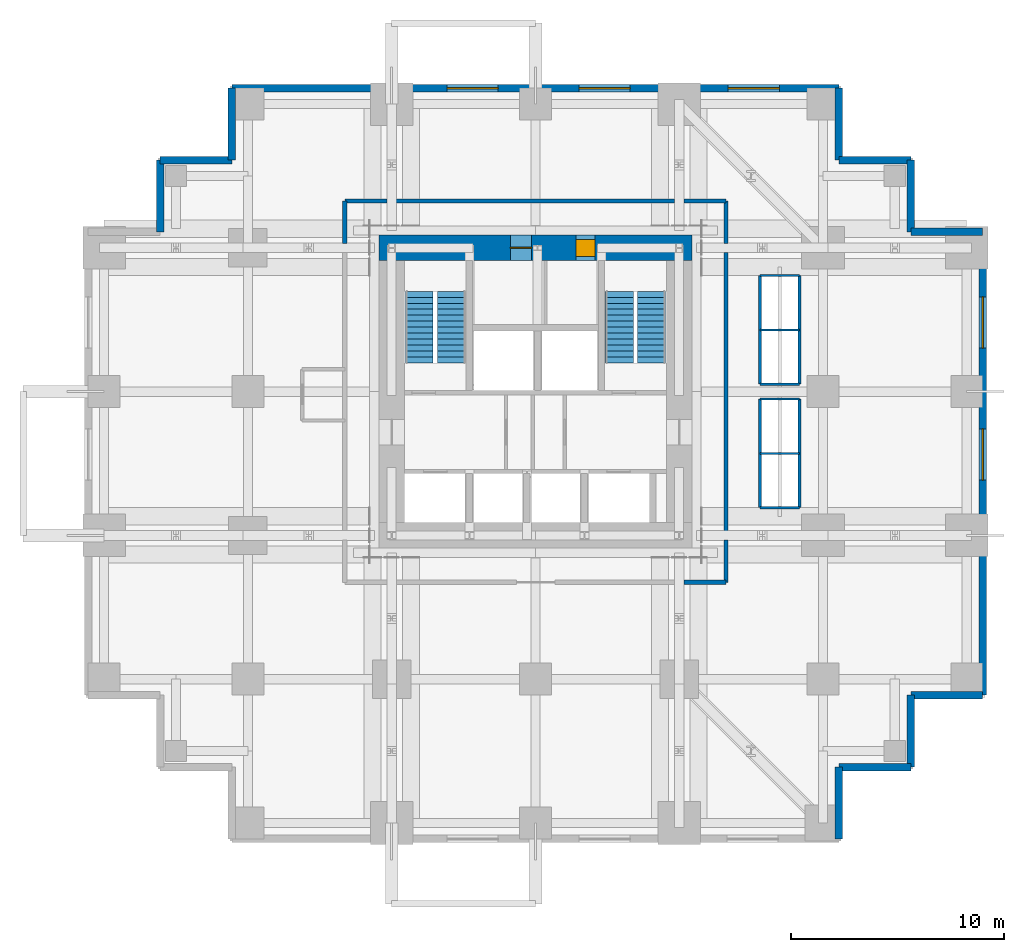
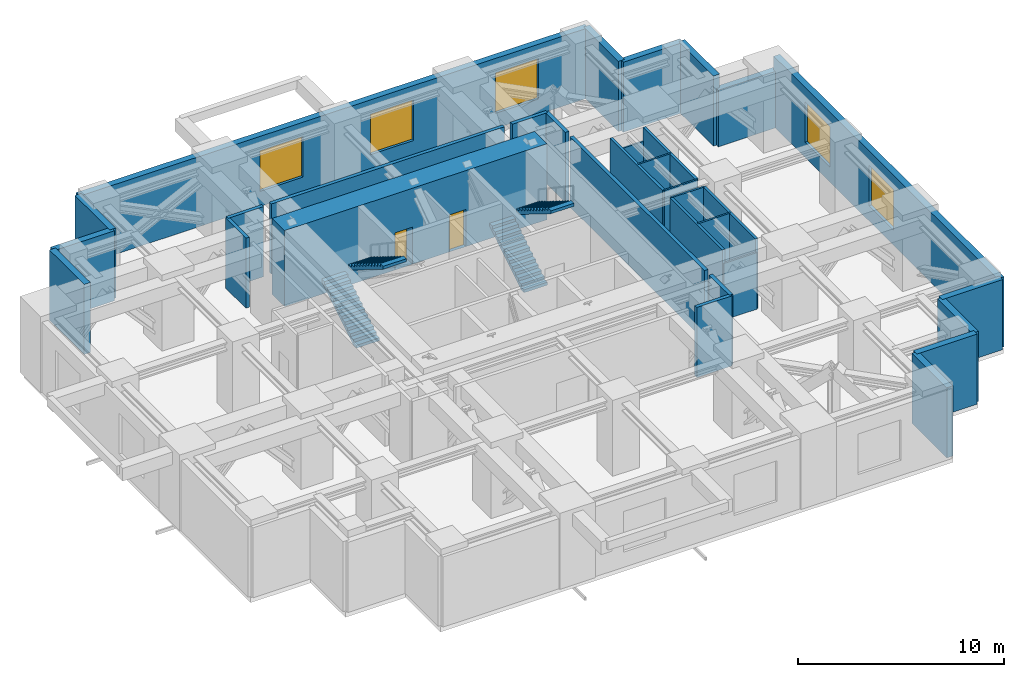
# One storey, part 5 of 6: 32 walls, 5 windows, 4 stair flights, 2 doors, 7 openings, 2 elements without a shape of their own.
"""IFC4 building model written with IfcOpenShell, lengths in metres."""

from ifc_helpers import new_model, si_unit, direction, frame, frame_2d, origin, place, context, subcontext, project, spatial, polyline, rectangle, outline, extrude, material, layer, layer_set, type_object, element, fill, aggregate, save


model = new_model("IFC4")

# Units and contexts
model_context = context("Model", 3, precision=1e-05, world=origin(), true_north=direction((0.0, 1.0)))
body_context = subcontext(model_context, "Body", "Model", "MODEL_VIEW")
ifc_project = project(units=[si_unit("LENGTHUNIT", "METRE"), si_unit("AREAUNIT", "SQUARE_METRE"), si_unit("VOLUMEUNIT", "CUBIC_METRE"), si_unit("PLANEANGLEUNIT", "RADIAN"), si_unit("MASSUNIT", "GRAM", prefix="KILO")], contexts=[model_context])

# Site, building, storey
site_placement = place(None, origin())
site = spatial("IfcSite", under=ifc_project, at=site_placement, CompositionType="ELEMENT")
building_placement = place(site_placement, origin())
building = spatial("IfcBuilding", under=site, at=building_placement, Name="Nyansa Garden Tower", CompositionType="ELEMENT")
storey_placement = place(building_placement, frame((0.0, 0.0, 137.699951171875)))
storey = spatial("IfcBuildingStorey", under=building, at=storey_placement, Name="L37", CompositionType="ELEMENT", Elevation=137.699951171875)

# Wall, openings, doors
ifc_material_1 = material(Name="Concrete C80/95", Category="concrete")
ifc_layer_1 = layer(ifc_material_1, 1.199951171875)
ifc_layer_set_1 = layer_set([ifc_layer_1], Name="Core wall CW1200")
wall_type_1 = type_object("IfcWallType", Name="Core wall CW1200", PredefinedType="SHEAR", material=ifc_layer_set_1)
wall_1_placement = place(storey_placement, frame((27.60009765625, 27.0, 0.0), z_axis=(0.0, 0.0, 1.0), x_axis=(-1.0, 0.0, 0.0)))
wall_1 = element("IfcWall", 1, at=wall_1_placement, inside=storey, type_object=wall_type_1, Name="Core wall N L37", PredefinedType="SHEAR", context=body_context, shape_type="SweptSolid", body=[
    extrude(rectangle(XDim=14.7001953125, YDim=1.199951171875, at=frame_2d((7.35009765625, 0.0))), origin(), (0.0, 0.0, 1.0), 4.5),
])
opening_1_placement = place(wall_1_placement, frame((4.550048828125, 0.0, 0.0)))
opening_1 = element("IfcOpeningElement", 2, at=opening_1_placement, cuts=wall_1, Name="Opening D15", PredefinedType="OPENING", context=body_context, shape_type="SweptSolid", body=[
    extrude(rectangle(XDim=0.89990234375, YDim=2.199951171875, at=frame_2d((0.449951171875, 1.10009765625))), frame((0.0, 0.60986328125, 0.0), z_axis=(0.0, -1.0, 0.0), x_axis=(1.0, 0.0, 0.0)), (0.0, 0.0, 1.0), 1.219970703125),
])
opening_2_placement = place(wall_1_placement, frame((7.52490234375, 0.0, 0.0)))
opening_2 = element("IfcOpeningElement", 3, at=opening_2_placement, cuts=wall_1, Name="Opening D07", PredefinedType="OPENING", context=body_context, shape_type="SweptSolid", body=[
    extrude(rectangle(XDim=1.0, YDim=2.199951171875, at=frame_2d((0.5, 1.10009765625))), frame((0.0, 0.60986328125, 0.0), z_axis=(0.0, -1.0, 0.0), x_axis=(1.0, 0.0, 0.0)), (0.0, 0.0, 1.0), 1.219970703125),
])
ifc_material_2 = material(Name="Timber flush door, 60 minute fire resisting, self-closing", Category="wood")
door_type_1 = type_object("IfcDoorType", Name="Core room door D15 900x2200", OperationType="SINGLE_SWING_LEFT", PredefinedType="DOOR", material=ifc_material_2)
door_1_placement = place(opening_1_placement, origin())
door_1 = element("IfcDoor", 4, at=door_1_placement, inside=storey, type_object=door_type_1, Name="Core room door", OperationType="SINGLE_SWING_LEFT", OverallHeight=2.199951171875, OverallWidth=0.89990234375, PredefinedType="DOOR", context=body_context, shape_type="SweptSolid", body=[
    extrude(rectangle(XDim=0.89990234375, YDim=2.199951171875, at=frame_2d((0.449951171875, 1.10009765625))), frame((0.0, 0.39990234375, 0.0), z_axis=(0.0, -1.0, 0.0), x_axis=(1.0, 0.0, 0.0)), (0.0, 0.0, 1.0), 0.800048828125),
])
fill(opening_1, door_1)
ifc_material_3 = material(Name="Steel door, 120 minute fire resisting", Category="steel")
door_type_2 = type_object("IfcDoorType", Name="Riser door D07 1000x2200", OperationType="SINGLE_SWING_LEFT", PredefinedType="DOOR", material=ifc_material_3)
door_2_placement = place(opening_2_placement, origin())
door_2 = element("IfcDoor", 5, at=door_2_placement, inside=storey, type_object=door_type_2, Name="Riser and refuse room door", OperationType="SINGLE_SWING_LEFT", OverallHeight=2.199951171875, OverallWidth=1.0, PredefinedType="DOOR", context=body_context, shape_type="SweptSolid", body=[
    extrude(rectangle(XDim=1.0, YDim=2.199951171875, at=frame_2d((0.5, 1.10009765625))), frame((0.0, 0.02490234375, 0.0), z_axis=(0.0, -1.0, 0.0), x_axis=(1.0, 0.0, 0.0)), (0.0, 0.0, 1.0), 0.050048828125),
])
fill(opening_2, door_2)

# Walls
ifc_material_4 = material(Name="Concrete blockwork, plastered, 60 minute fire resisting", Category="masonry")
ifc_layer_2 = layer(ifc_material_4, 0.199951171875)
ifc_layer_set_2 = layer_set([ifc_layer_2], Name="Corridor wall FW200")
wall_type_2 = type_object("IfcWallType", Name="Corridor wall FW200", PredefinedType="PARTITIONING", material=ifc_layer_set_2)
for number, where, z_axis, x_axis, name in (
    (6, (11.300048828125, 27.215087890625, 0.0), (0.0, 0.0, 1.0), (0.0, 1.0, 0.0), "Corridor wall"),
    (7, (11.300048828125, 29.199951171875, 0.0), (0.0, 0.0, 1.0), (1.0, 0.0, 0.0), "Corridor wall"),
):
    element("IfcWall", number, at=place(storey_placement, frame(where, z_axis=z_axis, x_axis=x_axis)), inside=storey, type_object=wall_type_2, Name=name, PredefinedType="PARTITIONING", context=body_context, shape_type="SweptSolid", body=[
        extrude(rectangle(XDim=1.98486328125, YDim=0.199951171875, at=frame_2d((0.992431640625, 0.0))), origin(), (0.0, 0.0, 1.0), 4.150146484375),
    ])
wall_2_placement = place(storey_placement, frame((13.715087890625, 29.199951171875, 0.0), z_axis=(0.0, 0.0, 1.0), x_axis=(1.0, 0.0, 0.0)))
element("IfcWall", 8, at=wall_2_placement, inside=storey, type_object=wall_type_2, Name="Corridor wall", PredefinedType="PARTITIONING", context=body_context, shape_type="SweptSolid", body=[
    extrude(rectangle(XDim=13.06982421875, YDim=0.199951171875, at=frame_2d((6.534912109375, 0.0))), origin(), (0.0, 0.0, 1.0), 4.150146484375),
])
for number, where, z_axis, x_axis, name in (
    (9, (27.215087890625, 11.300048828125, 0.0), (0.0, 0.0, 1.0), (1.0, 0.0, 0.0), "Corridor wall"),
    (10, (27.215087890625, 29.199951171875, 0.0), (0.0, 0.0, 1.0), (1.0, 0.0, 0.0), "Corridor wall"),
    (11, (29.199951171875, 11.300048828125, 0.0), (0.0, 0.0, 1.0), (0.0, 1.0, 0.0), "Corridor wall"),
):
    element("IfcWall", number, at=place(storey_placement, frame(where, z_axis=z_axis, x_axis=x_axis)), inside=storey, type_object=wall_type_2, Name=name, PredefinedType="PARTITIONING", context=body_context, shape_type="SweptSolid", body=[
        extrude(rectangle(XDim=1.98486328125, YDim=0.199951171875, at=frame_2d((0.992431640625, 0.0))), origin(), (0.0, 0.0, 1.0), 4.150146484375),
    ])
wall_3_placement = place(storey_placement, frame((29.199951171875, 13.715087890625, 0.0), z_axis=(0.0, 0.0, 1.0), x_axis=(0.0, 1.0, 0.0)))
element("IfcWall", 12, at=wall_3_placement, inside=storey, type_object=wall_type_2, Name="Corridor wall", PredefinedType="PARTITIONING", context=body_context, shape_type="SweptSolid", body=[
    extrude(rectangle(XDim=13.06982421875, YDim=0.199951171875, at=frame_2d((6.534912109375, 0.0))), origin(), (0.0, 0.0, 1.0), 4.150146484375),
])
wall_4_placement = place(storey_placement, frame((29.199951171875, 27.215087890625, 0.0), z_axis=(0.0, 0.0, 1.0), x_axis=(0.0, 1.0, 0.0)))
element("IfcWall", 13, at=wall_4_placement, inside=storey, type_object=wall_type_2, Name="Corridor wall", PredefinedType="PARTITIONING", context=body_context, shape_type="SweptSolid", body=[
    extrude(rectangle(XDim=1.98486328125, YDim=0.199951171875, at=frame_2d((0.992431640625, 0.0))), origin(), (0.0, 0.0, 1.0), 4.150146484375),
])
ifc_material_5 = material(Name="Steel-stud shaft wall, two layers fire-rated board, EI 120", Category="steel")
ifc_layer_3 = layer(ifc_material_5, 0.10009765625)
ifc_layer_set_3 = layer_set([ifc_layer_3], Name="Lift shaft wall SW100")
wall_type_3 = type_object("IfcWallType", Name="Lift shaft wall SW100", PredefinedType="SHEAR", material=ifc_layer_set_3)
wall_5_placement = place(storey_placement, frame((30.800048828125, 14.800048828125, 0.0), z_axis=(0.0, 0.0, 1.0), x_axis=(1.0, 0.0, 0.0)))
element("IfcWall", 14, at=wall_5_placement, inside=storey, type_object=wall_type_3, Name="Lift shaft wall", PredefinedType="SHEAR", context=body_context, shape_type="SweptSolid", body=[
    extrude(rectangle(XDim=1.849853515625, YDim=0.10009765625, at=frame_2d((0.9248046875, 0.0))), origin(), (0.0, 0.0, 1.0), 3.35009765625),
])
for number, where, z_axis, x_axis, name in (
    (15, (30.800048828125, 17.35009765625, 0.0), (0.0, 0.0, 1.0), (1.0, 0.0, 0.0), "Lift shaft wall"),
    (16, (30.800048828125, 19.89990234375, 0.0), (0.0, 0.0, 1.0), (1.0, 0.0, 0.0), "Lift shaft wall"),
    (17, (30.800048828125, 20.60009765625, 0.0), (0.0, 0.0, 1.0), (1.0, 0.0, 0.0), "Lift shaft wall"),
    (18, (30.800048828125, 23.14990234375, 0.0), (0.0, 0.0, 1.0), (1.0, 0.0, 0.0), "Lift shaft wall"),
):
    element("IfcWall", number, at=place(storey_placement, frame(where, z_axis=z_axis, x_axis=x_axis)), inside=storey, type_object=wall_type_3, Name=name, PredefinedType="SHEAR", context=body_context, shape_type="SweptSolid", body=[
        extrude(rectangle(XDim=1.849853515625, YDim=0.10009765625, at=frame_2d((0.9248046875, 0.0))), origin(), (0.0, 0.0, 1.0), 4.150146484375),
    ])
wall_6_placement = place(storey_placement, frame((30.800048828125, 25.699951171875, 0.0), z_axis=(0.0, 0.0, 1.0), x_axis=(1.0, 0.0, 0.0)))
element("IfcWall", 19, at=wall_6_placement, inside=storey, type_object=wall_type_3, Name="Lift shaft wall", PredefinedType="SHEAR", context=body_context, shape_type="SweptSolid", body=[
    extrude(rectangle(XDim=1.849853515625, YDim=0.10009765625, at=frame_2d((0.9248046875, 0.0))), origin(), (0.0, 0.0, 1.0), 3.35009765625),
])
ifc_material_6 = material(Name="Blockwork, plastered both sides", Category="masonry")
ifc_layer_4 = layer(ifc_material_6, 0.14990234375)
ifc_layer_set_4 = layer_set([ifc_layer_4], Name="Partition PW150")
wall_type_4 = type_object("IfcWallType", Name="Partition PW150", PredefinedType="PARTITIONING", material=ifc_layer_set_4)
for number, where, z_axis, x_axis, name in (
    (20, (30.800048828125, 14.800048828125, 0.0), (0.0, 0.0, 1.0), (0.0, 1.0, 0.0), "Partition"),
    (21, (30.800048828125, 20.60009765625, 0.0), (0.0, 0.0, 1.0), (0.0, 1.0, 0.0), "Partition"),
    (22, (32.64990234375, 14.800048828125, 0.0), (0.0, 0.0, 1.0), (0.0, 1.0, 0.0), "Partition"),
    (23, (32.64990234375, 20.60009765625, 0.0), (0.0, 0.0, 1.0), (0.0, 1.0, 0.0), "Partition"),
):
    element("IfcWall", number, at=place(storey_placement, frame(where, z_axis=z_axis, x_axis=x_axis)), inside=storey, type_object=wall_type_4, Name=name, PredefinedType="PARTITIONING", context=body_context, shape_type="SweptSolid", body=[
        extrude(rectangle(XDim=5.099853515625, YDim=0.14990234375, at=frame_2d((2.5498046875, 0.0))), origin(), (0.0, 0.0, 1.0), 4.150146484375),
    ])

# Wall, openings, windows
ifc_material_7 = material(Name="Turquoise and ultramarine glazed tile on concrete blockwork", Category="masonry")
ifc_layer_5 = layer(ifc_material_7, 0.35009765625)
ifc_layer_set_5 = layer_set([ifc_layer_5], Name="Tiled plant wall PW350")
wall_type_5 = type_object("IfcWallType", Name="Tiled plant wall PW350", PredefinedType="SOLIDWALL", material=ifc_layer_set_5)
wall_7_placement = place(storey_placement, frame((41.25, 6.0, 0.0), z_axis=(0.0, 0.0, 1.0), x_axis=(0.0, 1.0, 0.0)))
wall_7 = element("IfcWall", 24, at=wall_7_placement, inside=storey, type_object=wall_type_5, Name="Tiled plant wall L37", PredefinedType="SOLIDWALL", context=body_context, shape_type="SweptSolid", body=[
    extrude(rectangle(XDim=21.75, YDim=0.35009765625, at=frame_2d((10.875, 0.0))), origin(), (0.0, 0.0, 1.0), 4.150146484375),
])
opening_3_placement = place(wall_7_placement, frame((10.10009765625, 0.0, 0.89990234375)))
opening_3 = element("IfcOpeningElement", 25, at=opening_3_placement, cuts=wall_7, Name="Opening W3", PredefinedType="OPENING", context=body_context, shape_type="SweptSolid", body=[
    extrude(rectangle(XDim=2.39990234375, YDim=2.39990234375, at=frame_2d((1.199951171875, 1.199951171875))), frame((0.0, 0.18505859375, 0.0), z_axis=(0.0, -1.0, 0.0), x_axis=(1.0, 0.0, 0.0)), (0.0, 0.0, 1.0), 0.3701171875),
])
opening_4_placement = place(wall_7_placement, frame((16.300048828125, 0.0, 0.89990234375)))
opening_4 = element("IfcOpeningElement", 26, at=opening_4_placement, cuts=wall_7, Name="Opening W3", PredefinedType="OPENING", context=body_context, shape_type="SweptSolid", body=[
    extrude(rectangle(XDim=2.39990234375, YDim=2.39990234375, at=frame_2d((1.199951171875, 1.199951171875))), frame((0.0, 0.18505859375, 0.0), z_axis=(0.0, -1.0, 0.0), x_axis=(1.0, 0.0, 0.0)), (0.0, 0.0, 1.0), 0.3701171875),
])
ifc_material_8 = material(Name="Black aluminium weather louvre", Category="aluminium")
window_type = type_object("IfcWindowType", Name="Louvre W3 2400x2400", PartitioningType="SINGLE_PANEL", PredefinedType="WINDOW", material=ifc_material_8)
window_1_placement = place(opening_3_placement, origin())
window_1 = element("IfcWindow", 27, at=window_1_placement, inside=storey, type_object=window_type, Name="Louvre L37", OverallHeight=2.39990234375, OverallWidth=2.39990234375, PartitioningType="SINGLE_PANEL", PredefinedType="WINDOW", context=body_context, shape_type="SweptSolid", body=[
    extrude(rectangle(XDim=2.39990234375, YDim=2.39990234375, at=frame_2d((1.199951171875, 1.199951171875))), frame((0.0, 0.030029296875, 0.0), z_axis=(0.0, -1.0, 0.0), x_axis=(1.0, 0.0, 0.0)), (0.0, 0.0, 1.0), 0.06005859375),
])
fill(opening_3, window_1)
window_2_placement = place(opening_4_placement, origin())
window_2 = element("IfcWindow", 28, at=window_2_placement, inside=storey, type_object=window_type, Name="Louvre L37", OverallHeight=2.39990234375, OverallWidth=2.39990234375, PartitioningType="SINGLE_PANEL", PredefinedType="WINDOW", context=body_context, shape_type="SweptSolid", body=[
    extrude(rectangle(XDim=2.39990234375, YDim=2.39990234375, at=frame_2d((1.199951171875, 1.199951171875))), frame((0.0, 0.030029296875, 0.0), z_axis=(0.0, -1.0, 0.0), x_axis=(1.0, 0.0, 0.0)), (0.0, 0.0, 1.0), 0.06005859375),
])
fill(opening_4, window_2)

# Walls
wall_8_placement = place(storey_placement, frame((41.25, 27.75, 0.0), z_axis=(0.0, 0.0, 1.0), x_axis=(-1.0, 0.0, 0.0)))
element("IfcWall", 29, at=wall_8_placement, inside=storey, type_object=wall_type_5, Name="Tiled plant wall L37", PredefinedType="SOLIDWALL", context=body_context, shape_type="SweptSolid", body=[
    extrude(rectangle(XDim=3.375, YDim=0.35009765625, at=frame_2d((1.6875, 0.0))), origin(), (0.0, 0.0, 1.0), 3.35009765625),
])
for number, where, z_axis, x_axis, name in (
    (30, (37.875, 27.75, 0.0), (0.0, 0.0, 1.0), (0.0, 1.0, 0.0), "Tiled plant wall L37"),
    (31, (37.875, 31.125, 0.0), (0.0, 0.0, 1.0), (-1.0, 0.0, 0.0), "Tiled plant wall L37"),
    (32, (34.5, 31.125, 0.0), (0.0, 0.0, 1.0), (0.0, 1.0, 0.0), "Tiled plant wall L37"),
):
    element("IfcWall", number, at=place(storey_placement, frame(where, z_axis=z_axis, x_axis=x_axis)), inside=storey, type_object=wall_type_5, Name=name, PredefinedType="SOLIDWALL", context=body_context, shape_type="SweptSolid", body=[
        extrude(rectangle(XDim=3.375, YDim=0.35009765625, at=frame_2d((1.6875, 0.0))), origin(), (0.0, 0.0, 1.0), 4.150146484375),
    ])

# Wall, openings, windows
wall_9_placement = place(storey_placement, frame((34.5, 34.5, 0.0), z_axis=(0.0, 0.0, 1.0), x_axis=(-1.0, 0.0, 0.0)))
wall_9 = element("IfcWall", 33, at=wall_9_placement, inside=storey, type_object=wall_type_5, Name="Tiled plant wall L37", PredefinedType="SOLIDWALL", context=body_context, shape_type="SweptSolid", body=[
    extrude(rectangle(XDim=28.5, YDim=0.35009765625, at=frame_2d((14.25, 0.0))), origin(), (0.0, 0.0, 1.0), 4.150146484375),
])
opening_5_placement = place(wall_9_placement, frame((2.800048828125, 0.0, 0.89990234375)))
opening_5 = element("IfcOpeningElement", 34, at=opening_5_placement, cuts=wall_9, Name="Opening W3", PredefinedType="OPENING", context=body_context, shape_type="SweptSolid", body=[
    extrude(rectangle(XDim=2.39990234375, YDim=2.39990234375, at=frame_2d((1.199951171875, 1.199951171875))), frame((0.0, 0.18505859375, 0.0), z_axis=(0.0, -1.0, 0.0), x_axis=(1.0, 0.0, 0.0)), (0.0, 0.0, 1.0), 0.3701171875),
])
opening_6_placement = place(wall_9_placement, frame((9.800048828125, 0.0, 0.89990234375)))
opening_6 = element("IfcOpeningElement", 35, at=opening_6_placement, cuts=wall_9, Name="Opening W3", PredefinedType="OPENING", context=body_context, shape_type="SweptSolid", body=[
    extrude(rectangle(XDim=2.39990234375, YDim=2.39990234375, at=frame_2d((1.199951171875, 1.199951171875))), frame((0.0, 0.18505859375, 0.0), z_axis=(0.0, -1.0, 0.0), x_axis=(1.0, 0.0, 0.0)), (0.0, 0.0, 1.0), 0.3701171875),
])
opening_7_placement = place(wall_9_placement, frame((16.0, 0.0, 0.89990234375)))
opening_7 = element("IfcOpeningElement", 36, at=opening_7_placement, cuts=wall_9, Name="Opening W3", PredefinedType="OPENING", context=body_context, shape_type="SweptSolid", body=[
    extrude(rectangle(XDim=2.39990234375, YDim=2.39990234375, at=frame_2d((1.199951171875, 1.199951171875))), frame((0.0, 0.18505859375, 0.0), z_axis=(0.0, -1.0, 0.0), x_axis=(1.0, 0.0, 0.0)), (0.0, 0.0, 1.0), 0.3701171875),
])
window_3_placement = place(opening_5_placement, origin())
window_3 = element("IfcWindow", 37, at=window_3_placement, inside=storey, type_object=window_type, Name="Louvre L37", OverallHeight=2.39990234375, OverallWidth=2.39990234375, PartitioningType="SINGLE_PANEL", PredefinedType="WINDOW", context=body_context, shape_type="SweptSolid", body=[
    extrude(rectangle(XDim=2.39990234375, YDim=2.39990234375, at=frame_2d((1.199951171875, 1.199951171875))), frame((0.0, 0.030029296875, 0.0), z_axis=(0.0, -1.0, 0.0), x_axis=(1.0, 0.0, 0.0)), (0.0, 0.0, 1.0), 0.06005859375),
])
fill(opening_5, window_3)
window_4_placement = place(opening_6_placement, origin())
window_4 = element("IfcWindow", 38, at=window_4_placement, inside=storey, type_object=window_type, Name="Louvre L37", OverallHeight=2.39990234375, OverallWidth=2.39990234375, PartitioningType="SINGLE_PANEL", PredefinedType="WINDOW", context=body_context, shape_type="SweptSolid", body=[
    extrude(rectangle(XDim=2.39990234375, YDim=2.39990234375, at=frame_2d((1.199951171875, 1.199951171875))), frame((0.0, 0.030029296875, 0.0), z_axis=(0.0, -1.0, 0.0), x_axis=(1.0, 0.0, 0.0)), (0.0, 0.0, 1.0), 0.06005859375),
])
fill(opening_6, window_4)
window_5_placement = place(opening_7_placement, origin())
window_5 = element("IfcWindow", 39, at=window_5_placement, inside=storey, type_object=window_type, Name="Louvre L37", OverallHeight=2.39990234375, OverallWidth=2.39990234375, PartitioningType="SINGLE_PANEL", PredefinedType="WINDOW", context=body_context, shape_type="SweptSolid", body=[
    extrude(rectangle(XDim=2.39990234375, YDim=2.39990234375, at=frame_2d((1.199951171875, 1.199951171875))), frame((0.0, 0.030029296875, 0.0), z_axis=(0.0, -1.0, 0.0), x_axis=(1.0, 0.0, 0.0)), (0.0, 0.0, 1.0), 0.06005859375),
])
fill(opening_7, window_5)

# Walls
for number, where, z_axis, x_axis, name in (
    (40, (6.0, 34.5, 0.0), (0.0, 0.0, 1.0), (0.0, -1.0, 0.0), "Tiled plant wall L37"),
    (41, (6.0, 31.125, 0.0), (0.0, 0.0, 1.0), (-1.0, 0.0, 0.0), "Tiled plant wall L37"),
    (42, (2.625, 31.125, 0.0), (0.0, 0.0, 1.0), (0.0, -1.0, 0.0), "Tiled plant wall L37"),
    (43, (34.5, -0.75, 0.0), (0.0, 0.0, 1.0), (0.0, 1.0, 0.0), "Tiled plant wall L37"),
    (44, (34.5, 2.625, 0.0), (0.0, 0.0, 1.0), (1.0, 0.0, 0.0), "Tiled plant wall L37"),
    (45, (37.875, 2.625, 0.0), (0.0, 0.0, 1.0), (0.0, 1.0, 0.0), "Tiled plant wall L37"),
    (46, (37.875, 6.0, 0.0), (0.0, 0.0, 1.0), (1.0, 0.0, 0.0), "Tiled plant wall L37"),
):
    element("IfcWall", number, at=place(storey_placement, frame(where, z_axis=z_axis, x_axis=x_axis)), inside=storey, type_object=wall_type_5, Name=name, PredefinedType="SOLIDWALL", context=body_context, shape_type="SweptSolid", body=[
        extrude(rectangle(XDim=3.375, YDim=0.35009765625, at=frame_2d((1.6875, 0.0))), origin(), (0.0, 0.0, 1.0), 4.150146484375),
    ])

# Stair, stair flights
ifc_material_9 = material(Name="Precast concrete C40/50", Category="concrete")
stair_type_1 = type_object("IfcStairType", Name="Stair S1 173x280", PredefinedType="HALF_TURN_STAIR", material=ifc_material_9)
stair_1_placement = place(storey_placement, origin())
stair_1 = element("IfcStair", 47, at=stair_1_placement, inside=storey, type_object=stair_type_1, Name="Stair S1 L37", PredefinedType="HALF_TURN_STAIR")
ifc_material_10 = material(Name="Precast concrete C40/50", Category="concrete")
stair_flight_type_1 = type_object("IfcStairFlightType", Name="Stair flight S1 173x280x13", PredefinedType="STRAIGHT", material=ifc_material_10)
stair_flight_1_placement = place(storey_placement, frame((14.800048828125, 21.60009765625, 0.0), z_axis=(0.0, 0.0, 1.0), x_axis=(0.0, 1.0, 0.0)))
stair_flight_1 = element("IfcStairFlight", 48, at=stair_flight_1_placement, type_object=stair_flight_type_1, Name="S1 flight 1", NumberOfRisers=13, NumberOfTreads=12, PredefinedType="STRAIGHT", RiserHeight=0.173076923, TreadLength=0.28, context=body_context, shape_type="SweptSolid", body=[
    extrude(outline(polyline([(0.0, 0.0), (0.0, 0.173095703125), (0.280029296875, 0.173095703125), (0.280029296875, 0.34619140625), (0.56005859375, 0.34619140625), (0.56005859375, 0.519287109375), (0.840087890625, 0.519287109375), (0.840087890625, 0.6923828125), (1.1201171875, 0.6923828125), (1.1201171875, 0.865478515625), (1.39990234375, 0.865478515625), (1.39990234375, 1.03857421875), (1.679931640625, 1.03857421875), (1.679931640625, 1.21142578125), (1.9599609375, 1.21142578125), (1.9599609375, 1.384521484375), (2.239990234375, 1.384521484375), (2.239990234375, 1.5576171875), (2.52001953125, 1.5576171875), (2.52001953125, 1.730712890625), (2.800048828125, 1.730712890625), (2.800048828125, 1.90380859375), (3.080078125, 1.90380859375), (3.080078125, 2.076904296875), (3.360107421875, 2.076904296875), (3.360107421875, 2.25), (3.360107421875, 1.900634765625), (0.28515625, 0.0), (0.0, 0.0)])), frame((0.0, 0.64990234375, 0.0), z_axis=(0.0, -1.0, 0.0), x_axis=(1.0, 0.0, 0.0)), (0.0, 0.0, 1.0), 1.300048828125),
])
stair_flight_2_placement = place(storey_placement, frame((16.300048828125, 24.9599609375, 2.25), z_axis=(0.0, 0.0, 1.0), x_axis=(0.0, -1.0, 0.0)))
stair_flight_2 = element("IfcStairFlight", 49, at=stair_flight_2_placement, type_object=stair_flight_type_1, Name="S1 flight 2", NumberOfRisers=13, NumberOfTreads=12, PredefinedType="STRAIGHT", RiserHeight=0.173076923, TreadLength=0.28, context=body_context, shape_type="SweptSolid", body=[
    extrude(outline(polyline([(0.0, 0.0), (0.0, 0.173095703125), (0.280029296875, 0.173095703125), (0.280029296875, 0.34619140625), (0.56005859375, 0.34619140625), (0.56005859375, 0.519287109375), (0.840087890625, 0.519287109375), (0.840087890625, 0.6923828125), (1.1201171875, 0.6923828125), (1.1201171875, 0.865478515625), (1.39990234375, 0.865478515625), (1.39990234375, 1.03857421875), (1.679931640625, 1.03857421875), (1.679931640625, 1.21142578125), (1.9599609375, 1.21142578125), (1.9599609375, 1.384521484375), (2.239990234375, 1.384521484375), (2.239990234375, 1.5576171875), (2.52001953125, 1.5576171875), (2.52001953125, 1.730712890625), (2.800048828125, 1.730712890625), (2.800048828125, 1.90380859375), (3.080078125, 1.90380859375), (3.080078125, 2.076904296875), (3.360107421875, 2.076904296875), (3.360107421875, 2.25), (3.360107421875, 1.900634765625), (0.28515625, 0.0), (0.0, 0.0)])), frame((0.0, 0.64990234375, 0.0), z_axis=(0.0, -1.0, 0.0), x_axis=(1.0, 0.0, 0.0)), (0.0, 0.0, 1.0), 1.300048828125),
])
aggregate(stair_1, [stair_flight_1, stair_flight_2])

ifc_material_11 = material(Name="Precast concrete C40/50", Category="concrete")
stair_type_2 = type_object("IfcStairType", Name="Stair S2 173x280", PredefinedType="HALF_TURN_STAIR", material=ifc_material_11)
stair_2_placement = place(storey_placement, origin())
stair_2 = element("IfcStair", 50, at=stair_2_placement, inside=storey, type_object=stair_type_2, Name="Stair S2 L37", PredefinedType="HALF_TURN_STAIR")
ifc_material_12 = material(Name="Precast concrete C40/50", Category="concrete")
stair_flight_type_2 = type_object("IfcStairFlightType", Name="Stair flight S2 173x280x13", PredefinedType="STRAIGHT", material=ifc_material_12)
stair_flight_3_placement = place(storey_placement, frame((24.199951171875, 21.60009765625, 0.0), z_axis=(0.0, 0.0, 1.0), x_axis=(0.0, 1.0, 0.0)))
stair_flight_3 = element("IfcStairFlight", 51, at=stair_flight_3_placement, type_object=stair_flight_type_2, Name="S2 flight 1", NumberOfRisers=13, NumberOfTreads=12, PredefinedType="STRAIGHT", RiserHeight=0.173076923, TreadLength=0.28, context=body_context, shape_type="SweptSolid", body=[
    extrude(outline(polyline([(0.0, 0.0), (0.0, 0.173095703125), (0.280029296875, 0.173095703125), (0.280029296875, 0.34619140625), (0.56005859375, 0.34619140625), (0.56005859375, 0.519287109375), (0.840087890625, 0.519287109375), (0.840087890625, 0.6923828125), (1.1201171875, 0.6923828125), (1.1201171875, 0.865478515625), (1.39990234375, 0.865478515625), (1.39990234375, 1.03857421875), (1.679931640625, 1.03857421875), (1.679931640625, 1.21142578125), (1.9599609375, 1.21142578125), (1.9599609375, 1.384521484375), (2.239990234375, 1.384521484375), (2.239990234375, 1.5576171875), (2.52001953125, 1.5576171875), (2.52001953125, 1.730712890625), (2.800048828125, 1.730712890625), (2.800048828125, 1.90380859375), (3.080078125, 1.90380859375), (3.080078125, 2.076904296875), (3.360107421875, 2.076904296875), (3.360107421875, 2.25), (3.360107421875, 1.900634765625), (0.28515625, 0.0), (0.0, 0.0)])), frame((0.0, 0.64990234375, 0.0), z_axis=(0.0, -1.0, 0.0), x_axis=(1.0, 0.0, 0.0)), (0.0, 0.0, 1.0), 1.300048828125),
])
stair_flight_4_placement = place(storey_placement, frame((25.699951171875, 24.9599609375, 2.25), z_axis=(0.0, 0.0, 1.0), x_axis=(0.0, -1.0, 0.0)))
stair_flight_4 = element("IfcStairFlight", 52, at=stair_flight_4_placement, type_object=stair_flight_type_2, Name="S2 flight 2", NumberOfRisers=13, NumberOfTreads=12, PredefinedType="STRAIGHT", RiserHeight=0.173076923, TreadLength=0.28, context=body_context, shape_type="SweptSolid", body=[
    extrude(outline(polyline([(0.0, 0.0), (0.0, 0.173095703125), (0.280029296875, 0.173095703125), (0.280029296875, 0.34619140625), (0.56005859375, 0.34619140625), (0.56005859375, 0.519287109375), (0.840087890625, 0.519287109375), (0.840087890625, 0.6923828125), (1.1201171875, 0.6923828125), (1.1201171875, 0.865478515625), (1.39990234375, 0.865478515625), (1.39990234375, 1.03857421875), (1.679931640625, 1.03857421875), (1.679931640625, 1.21142578125), (1.9599609375, 1.21142578125), (1.9599609375, 1.384521484375), (2.239990234375, 1.384521484375), (2.239990234375, 1.5576171875), (2.52001953125, 1.5576171875), (2.52001953125, 1.730712890625), (2.800048828125, 1.730712890625), (2.800048828125, 1.90380859375), (3.080078125, 1.90380859375), (3.080078125, 2.076904296875), (3.360107421875, 2.076904296875), (3.360107421875, 2.25), (3.360107421875, 1.900634765625), (0.28515625, 0.0), (0.0, 0.0)])), frame((0.0, 0.64990234375, 0.0), z_axis=(0.0, -1.0, 0.0), x_axis=(1.0, 0.0, 0.0)), (0.0, 0.0, 1.0), 1.300048828125),
])
aggregate(stair_2, [stair_flight_3, stair_flight_4])

save(model, "model.ifc")
